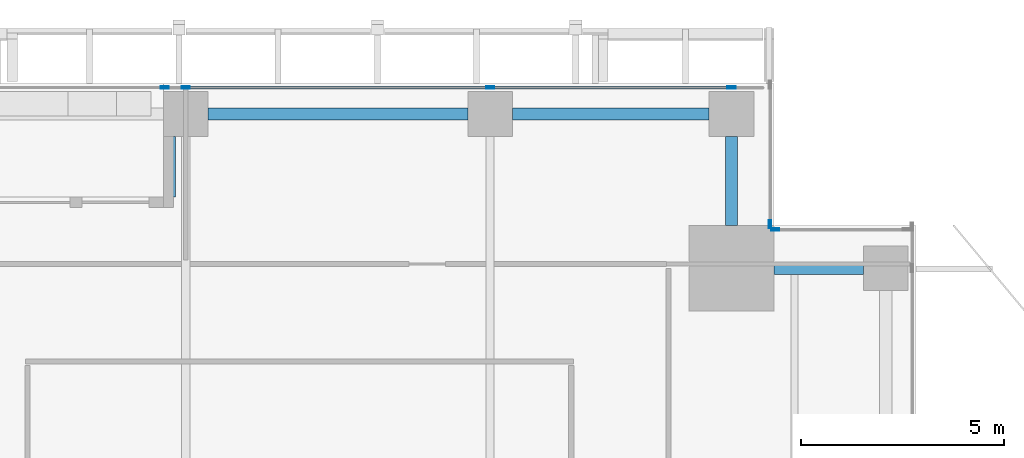
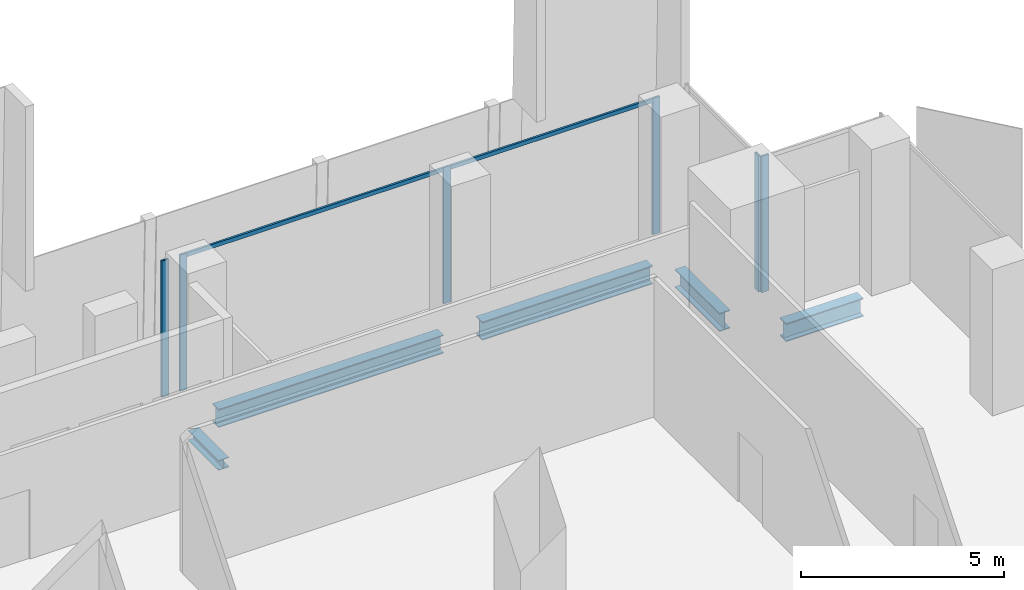
# One storey, part 20 of 34: 8 members, 5 beams, 3 elements without a shape of their own.
"""IFC4 building model written with IfcOpenShell, lengths in metres."""

from ifc_helpers import new_model, si_unit, direction, frame, origin, origin_2d, place, context, subcontext, project, spatial, hollow_rectangle, i_section, extrude, source, transform, mapped, material, material_profile, profile_set, type_object, element, aggregate, save


model = new_model("IFC4")

# Units and contexts
model_context = context("Model", 3, precision=1e-05, world=origin(), true_north=direction((0.0, 1.0)))
body_context = subcontext(model_context, "Body", "Model", "MODEL_VIEW")
ifc_project = project(units=[si_unit("LENGTHUNIT", "METRE"), si_unit("AREAUNIT", "SQUARE_METRE"), si_unit("VOLUMEUNIT", "CUBIC_METRE"), si_unit("PLANEANGLEUNIT", "RADIAN"), si_unit("MASSUNIT", "GRAM", prefix="KILO")], contexts=[model_context])

# Site, building, storey
site_placement = place(None, origin())
site = spatial("IfcSite", under=ifc_project, at=site_placement, CompositionType="ELEMENT")
building_placement = place(site_placement, origin())
building = spatial("IfcBuilding", under=site, at=building_placement, Name="Khomas Fold Tower", CompositionType="ELEMENT")
storey_placement = place(building_placement, frame((0.0, 0.0, 154.300048828125)))
storey = spatial("IfcBuildingStorey", under=building, at=storey_placement, Name="L33", CompositionType="ELEMENT", Elevation=154.300048828125)

# Beams
ifc_material_1 = material(Name="Steel S355", Category="steel")
ifc_material_profile_1 = material_profile(ifc_material_1, i_section(OverallWidth=0.300048828125, OverallDepth=0.550048828125, WebThickness=0.014892578125, FlangeThickness=0.029052734375, at=origin_2d()), Name="HE 550 B")
ifc_profile_set_1 = profile_set([ifc_material_profile_1], Name="Steel S355")
beam_type_1 = type_object("IfcBeamType", Name="HE 550 B spandrel SB2", PredefinedType="SPANDREL", material=ifc_profile_set_1)
shared_shape_1 = source(origin(), body_context, "Body", "SweptSolid", [
    extrude(i_section(OverallWidth=0.300048828125, OverallDepth=0.550048828125, WebThickness=0.014892578125, FlangeThickness=0.029052734375, at=origin_2d()), origin(), (0.0, 0.0, 1.0), 4.849853515625),
])
beam_1_placement = place(storey_placement, frame((42.550048828125, 51.75, -0.574951171875), z_axis=(1.0, 0.0, 0.0), x_axis=(0.0, 1.0, 0.0)))
element("IfcBeam", 1, at=beam_1_placement, inside=storey, type_object=beam_type_1, Name="SB2", PredefinedType="SPANDREL", context=body_context, shape_type="MappedRepresentation", body=[
    mapped(shared_shape_1, transform((0.0, 0.0, 0.0))),
])
shared_shape_2 = source(origin(), body_context, "Body", "SweptSolid", [
    extrude(i_section(OverallWidth=0.300048828125, OverallDepth=0.550048828125, WebThickness=0.014892578125, FlangeThickness=0.029052734375, at=origin_2d()), origin(), (0.0, 0.0, 1.0), 6.39990234375),
])
beam_2_placement = place(storey_placement, frame((35.050048828125, 51.75, -0.574951171875), z_axis=(1.0, 0.0, 0.0), x_axis=(0.0, 1.0, 0.0)))
element("IfcBeam", 2, at=beam_2_placement, inside=storey, type_object=beam_type_1, Name="SB2", PredefinedType="SPANDREL", context=body_context, shape_type="MappedRepresentation", body=[
    mapped(shared_shape_2, transform((0.0, 0.0, 0.0))),
])
shared_shape_3 = source(origin(), body_context, "Body", "SweptSolid", [
    extrude(i_section(OverallWidth=0.300048828125, OverallDepth=0.550048828125, WebThickness=0.014892578125, FlangeThickness=0.029052734375, at=origin_2d()), origin(), (0.0, 0.0, 1.0), 2.199951171875),
])
for number, where, z_axis, x_axis, name in (
    (3, (49.0, 47.949951171875, -0.574951171875), (1.0, 0.0, 0.0), (0.0, 1.0, 0.0), "SB2"),
    (4, (47.949951171875, 49.0, -0.574951171875), (0.0, 1.0, 0.0), (-1.0, 0.0, 0.0), "SB2"),
):
    element("IfcBeam", number, at=place(storey_placement, frame(where, z_axis=z_axis, x_axis=x_axis)), inside=storey, type_object=beam_type_1, Name=name, PredefinedType="SPANDREL", context=body_context, shape_type="MappedRepresentation", body=[
        mapped(shared_shape_3, transform((0.0, 0.0, 0.0))),
    ])
ifc_material_2 = material(Name="Steel S355", Category="steel")
ifc_material_profile_2 = material_profile(ifc_material_2, i_section(OverallWidth=0.300048828125, OverallDepth=0.300048828125, WebThickness=0.010986328125, FlangeThickness=0.01904296875, at=origin_2d()), Name="HE 300 B")
ifc_profile_set_2 = profile_set([ifc_material_profile_2], Name="Steel S355")
beam_type_2 = type_object("IfcBeamType", Name="HE 300 B beam BB1", PredefinedType="BEAM", material=ifc_profile_set_2)
shared_shape_4 = source(origin(), body_context, "Body", "SweptSolid", [
    extrude(i_section(OverallWidth=0.300048828125, OverallDepth=0.300048828125, WebThickness=0.010986328125, FlangeThickness=0.01904296875, at=origin_2d()), origin(), (0.0, 0.0, 1.0), 1.5),
])
beam_3_placement = place(storey_placement, frame((34.10009765625, 49.699951171875, -0.449951171875), z_axis=(0.0, 1.0, 0.0), x_axis=(-1.0, 0.0, 0.0)))
element("IfcBeam", 5, at=beam_3_placement, inside=storey, type_object=beam_type_2, Name="BB1", PredefinedType="BEAM", context=body_context, shape_type="MappedRepresentation", body=[
    mapped(shared_shape_4, transform((0.0, 0.0, 0.0))),
])

# Curtain wall, members
ifc_material_3 = material(Name="Aluminium framed double glazing", Category="aluminium")
curtain_wall_type = type_object("IfcCurtainWallType", Name="SK-Unitised clear-glass wall, growing floors CW1", PredefinedType="NOTDEFINED", material=ifc_material_3)
curtain_wall_1_placement = place(storey_placement, origin())
curtain_wall_1 = element("IfcCurtainWall", 6, at=curtain_wall_1_placement, inside=storey, type_object=curtain_wall_type, Name="CW1 run L33 06-0", PredefinedType="NOTDEFINED")
ifc_material_4 = material(Name="Aluminium", Category="aluminium")
ifc_material_profile_3 = material_profile(ifc_material_4, hollow_rectangle(XDim=0.06005859375, YDim=0.1201171875, WallThickness=0.00390625, at=origin_2d()), Name="SK-Unitised clear-glass wall, growing floors transom CW1-T")
ifc_profile_set_3 = profile_set([ifc_material_profile_3], Name="Aluminium")
member_type_1 = type_object("IfcMemberType", Name="SK-Unitised clear-glass wall, growing floors transom CW1-T", PredefinedType="USERDEFINED", material=ifc_profile_set_3)
shared_shape_5 = source(origin(), body_context, "Body", "SweptSolid", [
    extrude(hollow_rectangle(XDim=0.06005859375, YDim=0.1201171875, WallThickness=0.00390625, at=origin_2d()), origin(), (0.0, 0.0, 1.0), 7.43994140625),
])
member_1_placement = place(storey_placement, frame((41.969970703125, 52.39990234375, 4.0400390625), z_axis=(-1.0, 0.0, 0.0), x_axis=(0.0, -1.0, 0.0)))
member_1 = element("IfcMember", 7, at=member_1_placement, type_object=member_type_1, Name="CW1 transom 3", ObjectType="TRANSOM", PredefinedType="USERDEFINED", context=body_context, shape_type="MappedRepresentation", body=[
    mapped(shared_shape_5, transform((0.0, 0.0, 0.0))),
])
shared_shape_6 = source(origin(), body_context, "Body", "SweptSolid", [
    extrude(hollow_rectangle(XDim=0.06005859375, YDim=0.1201171875, WallThickness=0.00390625, at=origin_2d()), origin(), (0.0, 0.0, 1.0), 5.889892578125),
])
member_2_placement = place(storey_placement, frame((47.919921875, 52.39990234375, 4.0400390625), z_axis=(-1.0, 0.0, 0.0), x_axis=(0.0, -1.0, 0.0)))
member_2 = element("IfcMember", 8, at=member_2_placement, type_object=member_type_1, Name="CW1 transom 2", ObjectType="TRANSOM", PredefinedType="USERDEFINED", context=body_context, shape_type="MappedRepresentation", body=[
    mapped(shared_shape_6, transform((0.0, 0.0, 0.0))),
])

# Curtain wall, member
curtain_wall_2_placement = place(storey_placement, origin())
curtain_wall_2 = element("IfcCurtainWall", 9, at=curtain_wall_2_placement, inside=storey, type_object=curtain_wall_type, Name="CW1 corner return L33 04", PredefinedType="NOTDEFINED")
ifc_material_5 = material(Name="Aluminium", Category="aluminium")
ifc_material_profile_4 = material_profile(ifc_material_5, hollow_rectangle(XDim=0.06005859375, YDim=0.199951171875, WallThickness=0.00390625, at=origin_2d()), Name="SK-Unitised clear-glass wall, growing floors mullion CW1-M")
ifc_profile_set_4 = profile_set([ifc_material_profile_4], Name="Aluminium")
member_type_2 = type_object("IfcMemberType", Name="SK-Unitised clear-glass wall, growing floors mullion CW1-M", PredefinedType="MULLION", material=ifc_profile_set_4)
shared_shape_7 = source(origin(), body_context, "Body", "SweptSolid", [
    extrude(hollow_rectangle(XDim=0.06005859375, YDim=0.199951171875, WallThickness=0.00390625, at=origin_2d()), origin(), (0.0, 0.0, 1.0), 4.099853515625),
])
member_3_placement = place(storey_placement, frame((49.030029296875, 48.89990234375, 0.0), z_axis=(0.0, 0.0, 1.0), x_axis=(0.0, -1.0, 0.0)))
member_3 = element("IfcMember", 10, at=member_3_placement, type_object=member_type_2, Name="CW1 mullion 2", PredefinedType="MULLION", context=body_context, shape_type="MappedRepresentation", body=[
    mapped(shared_shape_7, transform((0.0, 0.0, 0.0))),
])
aggregate(curtain_wall_2, [member_3])

curtain_wall_3_placement = place(storey_placement, origin())
curtain_wall_3 = element("IfcCurtainWall", 11, at=curtain_wall_3_placement, inside=storey, type_object=curtain_wall_type, Name="CW1 corner return L33 05", PredefinedType="NOTDEFINED")
member_4_placement = place(storey_placement, frame((48.89990234375, 49.030029296875, 0.0), z_axis=(0.0, 0.0, 1.0), x_axis=(-1.0, 0.0, 0.0)))
member_4 = element("IfcMember", 12, at=member_4_placement, type_object=member_type_2, Name="CW1 mullion 1", PredefinedType="MULLION", context=body_context, shape_type="MappedRepresentation", body=[
    mapped(shared_shape_7, transform((0.0, 0.0, 0.0))),
])
aggregate(curtain_wall_3, [member_4])

# Member
member_5_placement = place(storey_placement, frame((47.949951171875, 52.39990234375, 0.0), z_axis=(0.0, 0.0, 1.0), x_axis=(0.0, -1.0, 0.0)))
member_5 = element("IfcMember", 13, at=member_5_placement, type_object=member_type_2, Name="CW1 mullion 2", PredefinedType="MULLION", context=body_context, shape_type="MappedRepresentation", body=[
    mapped(shared_shape_7, transform((0.0, 0.0, 0.0))),
])

member_6_placement = place(storey_placement, frame((42.0, 52.39990234375, 0.0), z_axis=(0.0, 0.0, 1.0), x_axis=(0.0, -1.0, 0.0)))
member_6 = element("IfcMember", 14, at=member_6_placement, type_object=member_type_2, Name="CW1 mullion 3", PredefinedType="MULLION", context=body_context, shape_type="MappedRepresentation", body=[
    mapped(shared_shape_7, transform((0.0, 0.0, 0.0))),
])

member_7_placement = place(storey_placement, frame((34.5, 52.39990234375, 0.0), z_axis=(0.0, 0.0, 1.0), x_axis=(0.0, -1.0, 0.0)))
member_7 = element("IfcMember", 15, at=member_7_placement, type_object=member_type_2, Name="CW1 mullion 4", PredefinedType="MULLION", context=body_context, shape_type="MappedRepresentation", body=[
    mapped(shared_shape_7, transform((0.0, 0.0, 0.0))),
])

member_8_placement = place(storey_placement, frame((33.97998046875, 52.39990234375, 0.0), z_axis=(0.0, 0.0, 1.0), x_axis=(0.0, -1.0, 0.0)))
member_8 = element("IfcMember", 16, at=member_8_placement, type_object=member_type_2, Name="CW1 mullion 5", PredefinedType="MULLION", context=body_context, shape_type="MappedRepresentation", body=[
    mapped(shared_shape_7, transform((0.0, 0.0, 0.0))),
])

aggregate(curtain_wall_1, [member_5, member_6, member_7, member_8, member_2, member_1])

save(model, "model.ifc")
